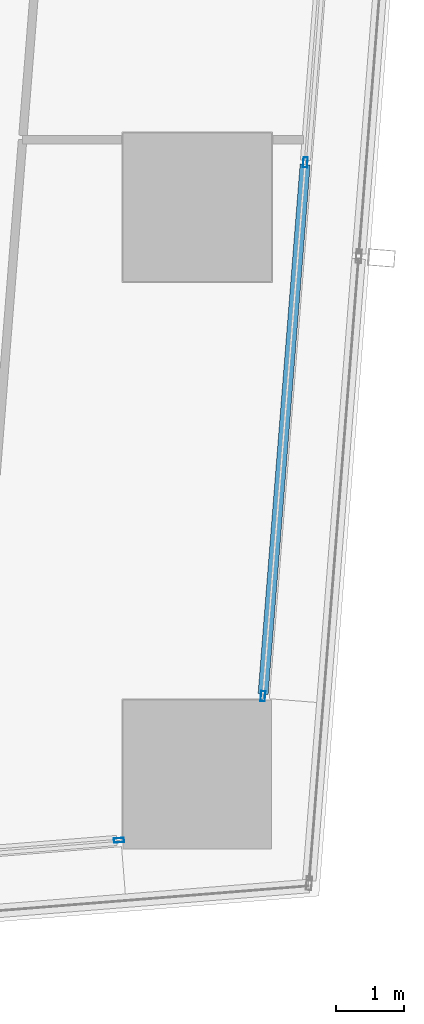
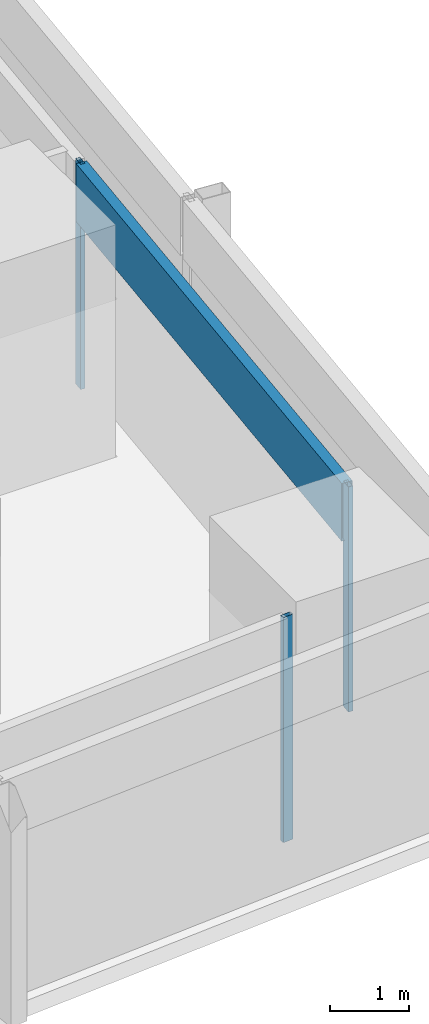
# One storey, part 12 of 42: 4 members, 2 elements without a shape of their own.
"""IFC4 building model written with IfcOpenShell, lengths in metres."""

from ifc_helpers import new_model, si_unit, direction, frame, origin, origin_2d, place, context, subcontext, project, spatial, hollow_rectangle, extrude, material, material_profile, profile_set, type_object, element, aggregate, save


model = new_model("IFC4")

# Units and contexts
model_context = context("Model", 3, precision=1e-05, world=origin(), true_north=direction((0.0, 1.0)))
body_context = subcontext(model_context, "Body", "Model", "MODEL_VIEW")
ifc_project = project(units=[si_unit("LENGTHUNIT", "METRE"), si_unit("AREAUNIT", "SQUARE_METRE"), si_unit("VOLUMEUNIT", "CUBIC_METRE"), si_unit("PLANEANGLEUNIT", "RADIAN"), si_unit("MASSUNIT", "GRAM", prefix="KILO")], contexts=[model_context])

# Site, building, storey
site_placement = place(None, origin())
site = spatial("IfcSite", under=ifc_project, at=site_placement, CompositionType="ELEMENT")
building_placement = place(site_placement, origin())
building = spatial("IfcBuilding", under=site, at=building_placement, Name="Rekha Terrace Tower", CompositionType="ELEMENT")
storey_placement = place(building_placement, frame((0.0, 0.0, 40.39990234375)))
storey = spatial("IfcBuildingStorey", under=building, at=storey_placement, Name="L09", CompositionType="ELEMENT", Elevation=40.39990234375)

# Curtain wall, member
ifc_material_1 = material(Name="Aluminium framing", Category="aluminium")
curtain_wall_type = type_object("IfcCurtainWallType", Name="CW1 double skin inner glazing", PredefinedType="USERDEFINED", material=ifc_material_1)
curtain_wall_1_placement = place(storey_placement, origin())
curtain_wall_1 = element("IfcCurtainWall", 1, at=curtain_wall_1_placement, inside=storey, type_object=curtain_wall_type, Name="CW1 double skin inner glazing", ObjectType="DOUBLE SKIN INNER GLAZING", PredefinedType="USERDEFINED")
ifc_material_2 = material(Name="Aluminium mullion section", Category="aluminium")
ifc_material_profile_1 = material_profile(ifc_material_2, hollow_rectangle(XDim=0.06494140625, YDim=0.14990234375, WallThickness=0.00390625, at=origin_2d()), Name="AL RHS 65x150")
ifc_profile_set_1 = profile_set([ifc_material_profile_1], Name="Aluminium mullion section")
member_type_1 = type_object("IfcMemberType", Name="CW1 mullion RHS 65 x 150", PredefinedType="MULLION", material=ifc_profile_set_1)
member_1_placement = place(storey_placement, frame((66.0400390625, 7.42626953125, 0.0), z_axis=(0.0, 0.0, 1.0), x_axis=(-0.079872204468, 0.996805111821, 0.0)))
member_1 = element("IfcMember", 2, at=member_1_placement, type_object=member_type_1, Name="CW1 mullion 3", PredefinedType="MULLION", context=body_context, shape_type="SweptSolid", body=[
    extrude(hollow_rectangle(XDim=0.06494140625, YDim=0.14990234375, WallThickness=0.00390625, at=origin_2d()), origin(), (0.0, 0.0, 1.0), 3.5),
])
aggregate(curtain_wall_1, [member_1])

# Curtain wall, members
curtain_wall_2_placement = place(storey_placement, origin())
curtain_wall_2 = element("IfcCurtainWall", 3, at=curtain_wall_2_placement, inside=storey, type_object=curtain_wall_type, Name="CW1 double skin inner glazing", ObjectType="DOUBLE SKIN INNER GLAZING", PredefinedType="USERDEFINED")
member_2_placement = place(storey_placement, frame((68.171630859375, 9.559814453125, 0.0), z_axis=(0.0, 0.0, 1.0), x_axis=(-0.996865392578, 0.079116300982, 0.0)))
member_2 = element("IfcMember", 4, at=member_2_placement, type_object=member_type_1, Name="CW1 mullion 1", PredefinedType="MULLION", context=body_context, shape_type="SweptSolid", body=[
    extrude(hollow_rectangle(XDim=0.06494140625, YDim=0.14990234375, WallThickness=0.00390625, at=origin_2d()), origin(), (0.0, 0.0, 1.0), 3.5),
])
member_3_placement = place(storey_placement, frame((68.799072265625, 17.46533203125, 0.0), z_axis=(0.0, 0.0, 1.0), x_axis=(-0.996865392578, 0.079116300982, 0.0)))
member_3 = element("IfcMember", 5, at=member_3_placement, type_object=member_type_1, Name="CW1 mullion 2", PredefinedType="MULLION", context=body_context, shape_type="SweptSolid", body=[
    extrude(hollow_rectangle(XDim=0.06494140625, YDim=0.14990234375, WallThickness=0.00390625, at=origin_2d()), origin(), (0.0, 0.0, 1.0), 3.5),
])
ifc_material_3 = material(Name="Insulated aluminium spandrel box", Category="aluminium")
ifc_material_profile_2 = material_profile(ifc_material_3, hollow_rectangle(XDim=0.14990234375, YDim=0.89990234375, WallThickness=0.0029296875, at=origin_2d()), Name="AL SPANDREL BOX 150x900")
ifc_profile_set_2 = profile_set([ifc_material_profile_2], Name="Insulated aluminium spandrel box")
member_type_2 = type_object("IfcMemberType", Name="CW1 spandrel transom 150 x 900", PredefinedType="USERDEFINED", material=ifc_profile_set_2)
member_4_placement = place(storey_placement, frame((68.174072265625, 9.59228515625, 3.050048828125), z_axis=(0.07912217646, 0.996864926252, 0.0), x_axis=(-0.996864926252, 0.07912217646, 0.0)))
member_4 = element("IfcMember", 6, at=member_4_placement, type_object=member_type_2, Name="CW1 spandrel transom 1", ObjectType="TRANSOM", PredefinedType="USERDEFINED", context=body_context, shape_type="SweptSolid", body=[
    extrude(hollow_rectangle(XDim=0.14990234375, YDim=0.89990234375, WallThickness=0.0029296875, at=origin_2d()), origin(), (0.0, 0.0, 1.0), 7.865234375),
])
aggregate(curtain_wall_2, [member_2, member_3, member_4])

save(model, "model.ifc")
